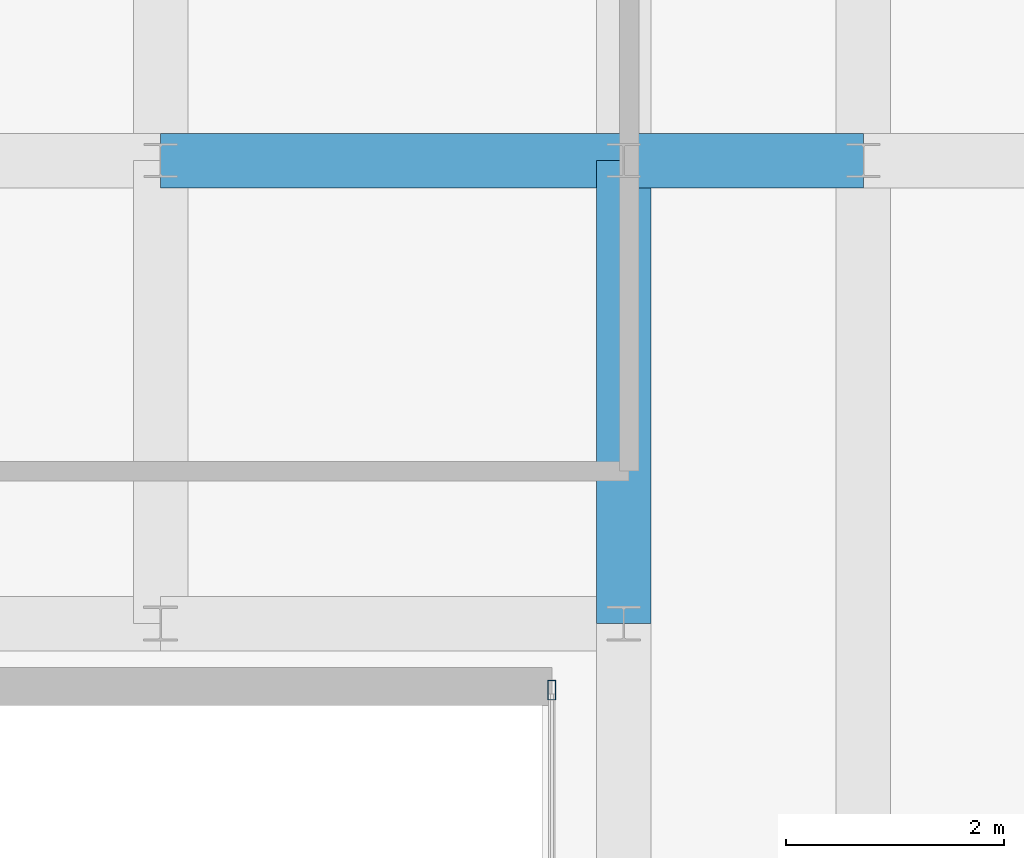
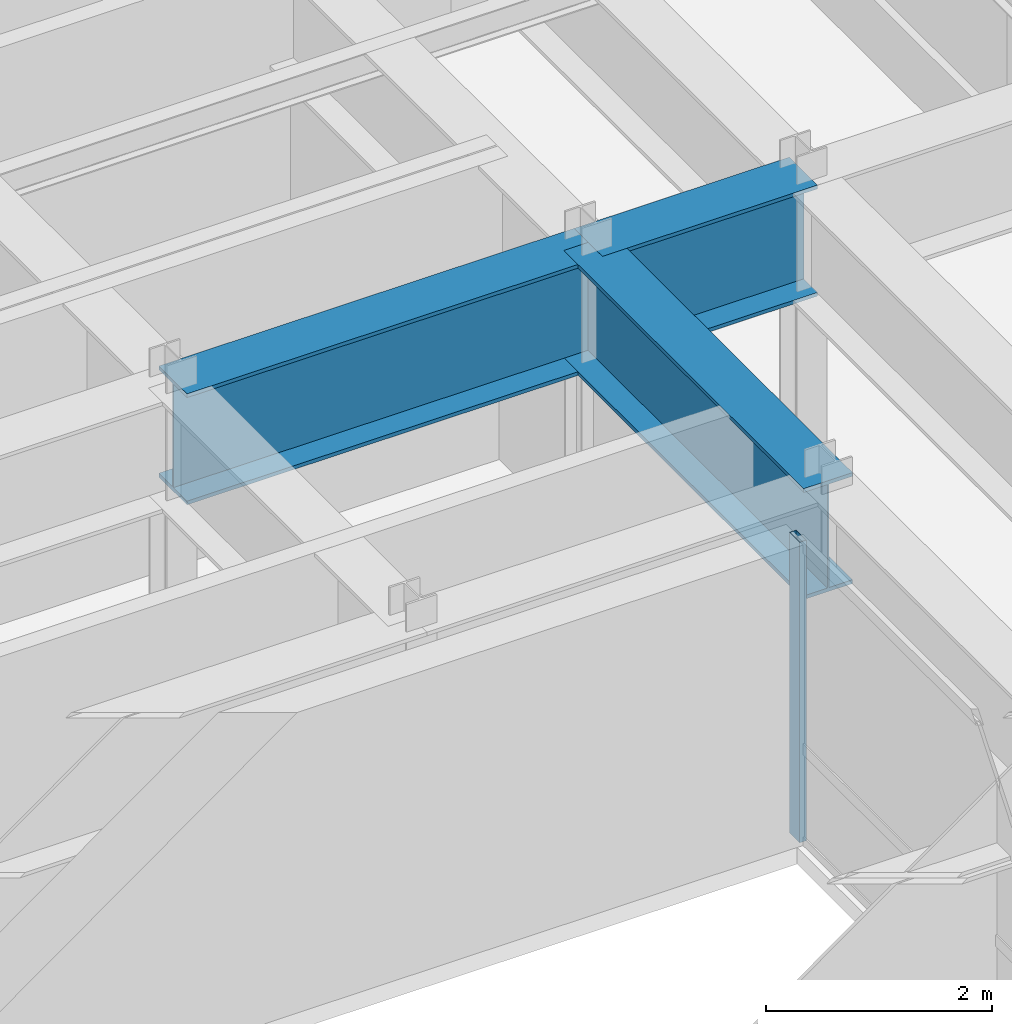
# One storey, part 14 of 21: 3 beams, 1 member, 1 element without a shape of its own.
"""IFC4 building model written with IfcOpenShell, lengths in metres."""

from ifc_helpers import new_model, si_unit, direction, frame, origin, origin_2d, place, context, subcontext, project, spatial, hollow_rectangle, i_section, extrude, source, transform, mapped, material, layer, layer_set, material_profile, profile_set, type_object, type_shapes, element, aggregate, save


model = new_model("IFC4")

# Units and contexts
model_context = context("Model", 3, precision=1e-05, world=origin(), true_north=direction((0.0, 1.0)))
body_context = subcontext(model_context, "Body", "Model", "MODEL_VIEW")
ifc_project = project(units=[si_unit("LENGTHUNIT", "METRE"), si_unit("AREAUNIT", "SQUARE_METRE"), si_unit("VOLUMEUNIT", "CUBIC_METRE"), si_unit("PLANEANGLEUNIT", "RADIAN"), si_unit("MASSUNIT", "GRAM", prefix="KILO")], contexts=[model_context])

# Site, building, storey
site_placement = place(None, origin())
site = spatial("IfcSite", under=ifc_project, at=site_placement, CompositionType="ELEMENT")
building_placement = place(site_placement, origin())
building = spatial("IfcBuilding", under=site, at=building_placement, Name="Tolvann Quenvar Hotel", CompositionType="ELEMENT")
storey_placement = place(building_placement, frame((0.0, 0.0, 266.5)))
storey = spatial("IfcBuildingStorey", under=building, at=storey_placement, Name="L71", CompositionType="ELEMENT", Elevation=266.5)

# Beams
ifc_material_1 = material(Name="Steel Grade 350", Category="steel")
ifc_material_profile_1 = material_profile(ifc_material_1, i_section(OverallWidth=0.5, OverallDepth=1.199951171875, WebThickness=0.01611328125, FlangeThickness=0.0400390625, at=origin_2d()), Name="1200WB455")
ifc_profile_set_1 = profile_set([ifc_material_profile_1], Name="Steel Grade 350")
beam_type = type_object("IfcBeamType", Name="BM_TG_1200WB455", PredefinedType="USERDEFINED", material=ifc_profile_set_1)
shared_shape_1 = source(origin(), body_context, "Body", "SweptSolid", [
    extrude(i_section(OverallWidth=0.5, OverallDepth=1.199951171875, WebThickness=0.01611328125, FlangeThickness=0.0400390625, at=origin_2d()), origin(), (0.0, 0.0, 1.0), 2.199951171875),
])
beam_placement = place(storey_placement, frame((32.75, 24.39990234375, 2.64990234375), z_axis=(1.0, 0.0, 0.0), x_axis=(0.0, 1.0, 0.0)))
element("IfcBeam", 1, at=beam_placement, inside=storey, type_object=beam_type, Name="BM-L71-EW-5-FP5-F5", ObjectType="TRANSFER GIRDER", PredefinedType="USERDEFINED", context=body_context, shape_type="MappedRepresentation", body=[
    mapped(shared_shape_1, transform((0.0, 0.0, 0.0), x_axis=(1.0, 0.0, 0.0), y_axis=(0.0, 1.0, 0.0), z_axis=(0.0, 0.0, 1.0), scale=1.0)),
])
shared_shape_2 = source(origin(), body_context, "Body", "SweptSolid", [
    extrude(i_section(OverallWidth=0.5, OverallDepth=1.199951171875, WebThickness=0.01611328125, FlangeThickness=0.0400390625, at=origin_2d()), origin(), (0.0, 0.0, 1.0), 4.25),
])
type_shapes(beam_type, [shared_shape_1, shared_shape_2])
for number, where, z_axis, x_axis, name in (
    (2, (32.75, 20.14990234375, 2.64990234375), (0.0, 1.0, 0.0), (-1.0, 0.0, 0.0), "TG-L71-NS-FP5"),
    (3, (28.5, 24.39990234375, 2.64990234375), (1.0, 0.0, 0.0), (0.0, 1.0, 0.0), "BM-L71-EW-5-M5-FP5"),
):
    element("IfcBeam", number, at=place(storey_placement, frame(where, z_axis=z_axis, x_axis=x_axis)), inside=storey, type_object=beam_type, Name=name, ObjectType="TRANSFER GIRDER", PredefinedType="USERDEFINED", context=body_context, shape_type="MappedRepresentation", body=[
        mapped(shared_shape_2, transform((0.0, 0.0, 0.0), x_axis=(1.0, 0.0, 0.0), y_axis=(0.0, 1.0, 0.0), z_axis=(0.0, 0.0, 1.0), scale=1.0)),
    ])

# Curtain wall, member
ifc_material_2 = material(Name="Thermally broken anodised architectural aluminium 6063-T6 and laminated low-E glass", Category="aluminium")
ifc_layer = layer(ifc_material_2, 0.179931640625)
ifc_layer_set = layer_set([ifc_layer], Name="Thermally broken anodised architectural aluminium 6063-T6 and laminated low-E glass")
curtain_wall_type = type_object("IfcCurtainWallType", Name="CW_SYS_PORTAL_05", PredefinedType="USERDEFINED", material=ifc_layer_set)
curtain_wall_placement = place(storey_placement, origin())
curtain_wall = element("IfcCurtainWall", 4, at=curtain_wall_placement, inside=storey, type_object=curtain_wall_type, Name="Curtain Wall CW-PORTAL-05 (CWR-L71-E07)", ObjectType="UNITISED CURTAIN WALL", PredefinedType="USERDEFINED")
ifc_material_3 = material(Name="Anodised architectural aluminium 6063-T6 framing", Category="aluminium")
ifc_material_profile_2 = material_profile(ifc_material_3, hollow_rectangle(XDim=0.070068359375, YDim=0.179931640625, WallThickness=0.00390625, at=origin_2d()), Name="180x70x4RHS")
ifc_profile_set_2 = profile_set([ifc_material_profile_2], Name="Anodised architectural aluminium 6063-T6 framing")
member_type = type_object("IfcMemberType", Name="CW_MULL_180x70", PredefinedType="MULLION", material=ifc_profile_set_2)
shared_shape_3 = source(origin(), body_context, "Body", "SweptSolid", [
    extrude(hollow_rectangle(XDim=0.070068359375, YDim=0.179931640625, WallThickness=0.00390625, at=origin_2d()), origin(), (0.0, 0.0, 1.0), 3.25),
])
type_shapes(member_type, [shared_shape_3])
member_placement = place(storey_placement, frame((32.090087890625, 19.5400390625, 0.0), z_axis=(0.0, 0.0, 1.0), x_axis=(1.0, 0.0, 0.0)))
member = element("IfcMember", 5, at=member_placement, type_object=member_type, Name="CW-PORTAL-05 mullion 1", PredefinedType="MULLION", context=body_context, shape_type="MappedRepresentation", body=[
    mapped(shared_shape_3, transform((0.0, 0.0, 0.0), x_axis=(1.0, 0.0, 0.0), y_axis=(0.0, 1.0, 0.0), z_axis=(0.0, 0.0, 1.0), scale=1.0)),
])
aggregate(curtain_wall, [member])

save(model, "model.ifc")
